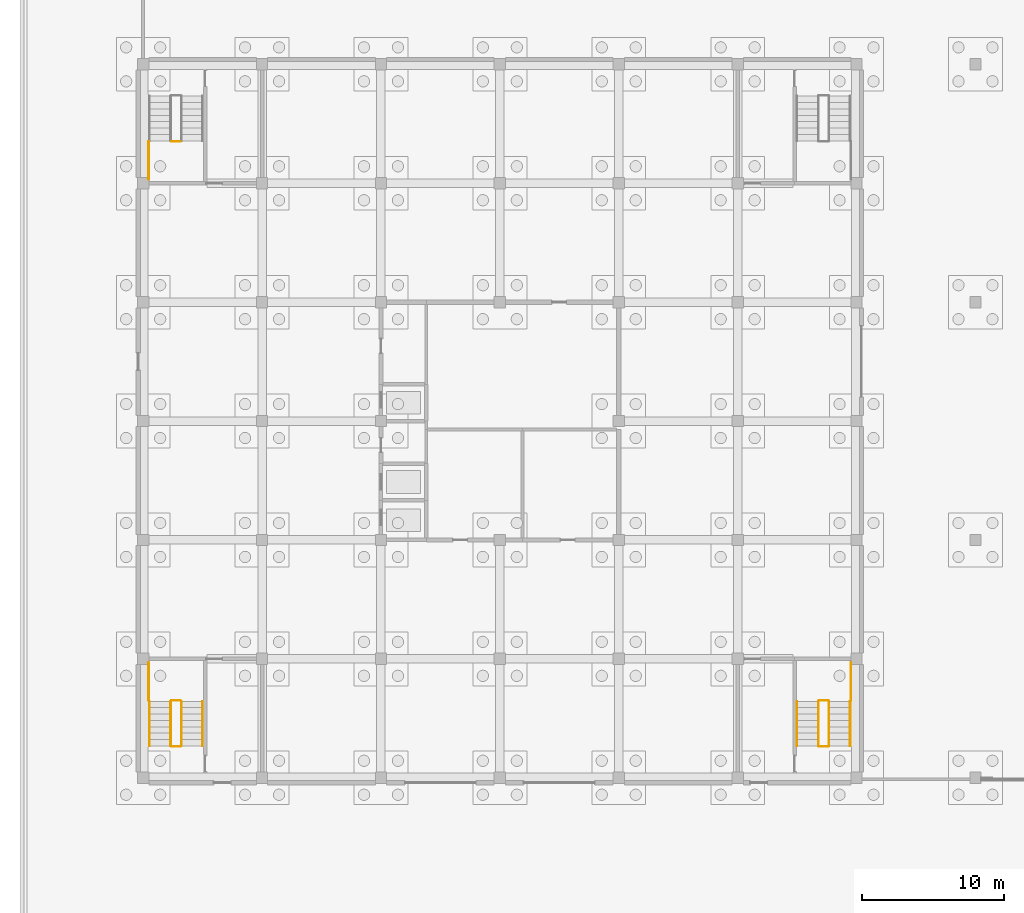
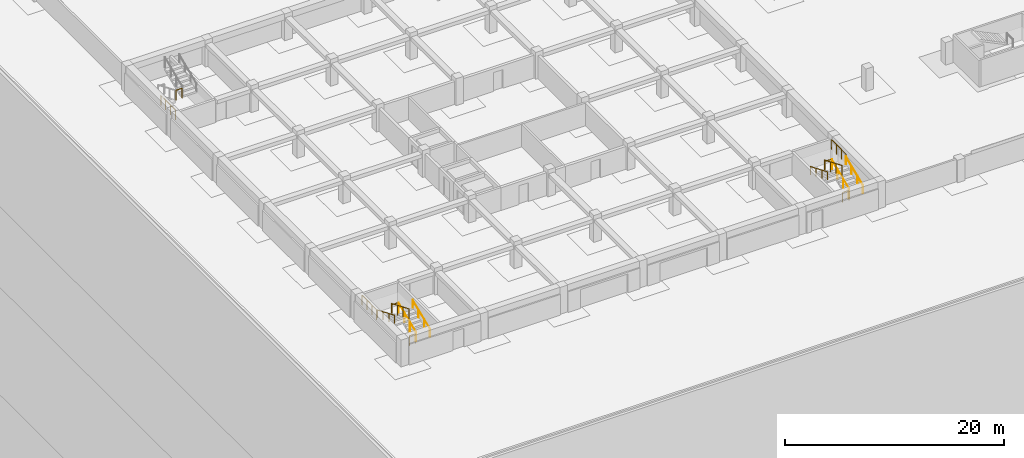
# One storey, part 52 of 67: 16 railings.
"""IFC4 building model written with IfcOpenShell, lengths in metres."""

from ifc_helpers import new_model, si_unit, direction, frame, origin, origin_2d, place, context, subcontext, project, spatial, circle, extrude, material, type_object, element, save


model = new_model("IFC4")

# Units and contexts
model_context = context("Model", 3, precision=1e-05, world=origin(), true_north=direction((0.0, 1.0)))
body_context = subcontext(model_context, "Body", "Model", "MODEL_VIEW")
ifc_project = project(units=[si_unit("LENGTHUNIT", "METRE"), si_unit("AREAUNIT", "SQUARE_METRE"), si_unit("VOLUMEUNIT", "CUBIC_METRE"), si_unit("PLANEANGLEUNIT", "RADIAN"), si_unit("MASSUNIT", "GRAM", prefix="KILO")], contexts=[model_context])

# Site, building, storey
site_placement = place(None, origin())
site = spatial("IfcSite", under=ifc_project, at=site_placement, CompositionType="ELEMENT")
building_placement = place(site_placement, origin())
building = spatial("IfcBuilding", under=site, at=building_placement, Name="Rain Tree Exposition and Congress Centre", CompositionType="ELEMENT")
storey_placement = place(building_placement, frame((0.0, 0.0, -3.0)))
storey = spatial("IfcBuildingStorey", under=building, at=storey_placement, Name="B1", CompositionType="ELEMENT", Elevation=-3.0)

# Railings
ifc_material_1 = material(Name="Steel S355J2H", Category="steel")
railing_type_1 = type_object("IfcRailingType", Name="Wing stair guard 1100", PredefinedType="GUARDRAIL", material=ifc_material_1)
railing_1_placement = place(storey_placement, frame((2.699951171875, 2.25, 0.1875)))
element("IfcRailing", 1, at=railing_1_placement, inside=storey, type_object=railing_type_1, Name="B1 ST-W1 stair guard 1", PredefinedType="GUARDRAIL", context=body_context, shape_type="SweptSolid", body=[
    extrude(circle(Radius=0.02392578125, at=origin_2d()), frame((0.0, 0.0, 1.076171875), z_axis=(0.0, 0.923072689593, 0.384625544819), x_axis=(-1.0, 0.0, 0.0)), (0.0, 0.0, 1.0), 3.412353515625),
    extrude(circle(Radius=0.02099609375, at=origin_2d()), origin(), (0.0, 0.0, 1.0), 1.052001953125),
    extrude(circle(Radius=0.02099609375, at=origin_2d()), frame((0.0, 1.050048828125, 0.4375)), (0.0, 0.0, 1.0), 1.052001953125),
    extrude(circle(Radius=0.02099609375, at=origin_2d()), frame((0.0, 2.099853515625, 0.875)), (0.0, 0.0, 1.0), 1.052001953125),
    extrude(circle(Radius=0.02099609375, at=origin_2d()), frame((0.0, 3.14990234375, 1.3125)), (0.0, 0.0, 1.0), 1.052001953125),
])
railing_2_placement = place(storey_placement, frame((2.64990234375, 5.449951171875, 1.5)))
element("IfcRailing", 2, at=railing_2_placement, inside=storey, type_object=railing_type_1, Name="B1 ST-W1 stair guard 2", PredefinedType="GUARDRAIL", context=body_context, shape_type="SweptSolid", body=[
    extrude(circle(Radius=0.02392578125, at=origin_2d()), frame((0.0, 0.0, 1.076171875), z_axis=(-1.0, 0.0, 0.0), x_axis=(0.0, -1.0, 0.0)), (0.0, 0.0, 1.0), 0.64990234375),
    extrude(circle(Radius=0.02099609375, at=origin_2d()), origin(), (0.0, 0.0, 1.0), 1.052001953125),
    extrude(circle(Radius=0.02099609375, at=origin_2d()), frame((-0.64990234375, 0.0, 0.0)), (0.0, 0.0, 1.0), 1.052001953125),
])
railing_3_placement = place(storey_placement, frame((1.949951171875, 5.39990234375, 1.6875)))
element("IfcRailing", 3, at=railing_3_placement, inside=storey, type_object=railing_type_1, Name="B1 ST-W1 stair guard 3", PredefinedType="GUARDRAIL", context=body_context, shape_type="SweptSolid", body=[
    extrude(circle(Radius=0.02392578125, at=origin_2d()), frame((0.0, 0.0, 1.076171875), z_axis=(0.0, -0.923072689593, 0.384625544819), x_axis=(1.0, 0.0, 0.0)), (0.0, 0.0, 1.0), 3.412353515625),
    extrude(circle(Radius=0.02099609375, at=origin_2d()), origin(), (0.0, 0.0, 1.0), 1.052001953125),
    extrude(circle(Radius=0.02099609375, at=origin_2d()), frame((0.0, -1.050048828125, 0.4375)), (0.0, 0.0, 1.0), 1.052001953125),
    extrude(circle(Radius=0.02099609375, at=origin_2d()), frame((0.0, -2.099853515625, 0.875)), (0.0, 0.0, 1.0), 1.052001953125),
    extrude(circle(Radius=0.02099609375, at=origin_2d()), frame((0.0, -3.14990234375, 1.3125)), (0.0, 0.0, 1.0), 1.052001953125),
])
railing_4_placement = place(storey_placement, frame((2.64990234375, 2.199951171875, 0.0)))
element("IfcRailing", 4, at=railing_4_placement, inside=storey, type_object=railing_type_1, Name="B1 ST-W1 stair guard 4", PredefinedType="GUARDRAIL", context=body_context, shape_type="SweptSolid", body=[
    extrude(circle(Radius=0.02392578125, at=origin_2d()), frame((0.0, 0.0, 1.076171875), z_axis=(-1.0, 0.0, 0.0), x_axis=(0.0, -1.0, 0.0)), (0.0, 0.0, 1.0), 0.64990234375),
    extrude(circle(Radius=0.02099609375, at=origin_2d()), origin(), (0.0, 0.0, 1.0), 1.052001953125),
    extrude(circle(Radius=0.02099609375, at=origin_2d()), frame((-0.64990234375, 0.0, 0.0)), (0.0, 0.0, 1.0), 1.052001953125),
])
railing_5_placement = place(storey_placement, frame((0.39697265625, 5.449951171875, 1.5)))
element("IfcRailing", 5, at=railing_5_placement, inside=storey, type_object=railing_type_1, Name="wing/stair/ST-W1-B1-LG1", PredefinedType="GUARDRAIL", context=body_context, shape_type="SweptSolid", body=[
    extrude(circle(Radius=0.02392578125, at=origin_2d()), frame((0.0, 0.0, 1.076171875), z_axis=(0.0, 1.0, 0.0), x_axis=(-1.0, 0.0, 0.0)), (0.0, 0.0, 1.0), 2.677978515625),
    extrude(circle(Radius=0.02099609375, at=origin_2d()), origin(), (0.0, 0.0, 1.0), 1.052001953125),
    extrude(circle(Radius=0.02099609375, at=origin_2d()), frame((0.0, 0.892578125, 0.0)), (0.0, 0.0, 1.0), 1.052001953125),
    extrude(circle(Radius=0.02099609375, at=origin_2d()), frame((0.0, 1.785400390625, 0.0)), (0.0, 0.0, 1.0), 1.052001953125),
    extrude(circle(Radius=0.02099609375, at=origin_2d()), frame((0.0, 2.677978515625, 0.0)), (0.0, 0.0, 1.0), 1.052001953125),
])
railing_6_placement = place(storey_placement, frame((48.449951171875, 2.25, 0.1875)))
element("IfcRailing", 6, at=railing_6_placement, inside=storey, type_object=railing_type_1, Name="B1 ST-W2 stair guard 1", PredefinedType="GUARDRAIL", context=body_context, shape_type="SweptSolid", body=[
    extrude(circle(Radius=0.02392578125, at=origin_2d()), frame((0.0, 0.0, 1.076171875), z_axis=(0.0, 0.923072689593, 0.384625544819), x_axis=(-1.0, 0.0, 0.0)), (0.0, 0.0, 1.0), 3.412353515625),
    extrude(circle(Radius=0.02099609375, at=origin_2d()), origin(), (0.0, 0.0, 1.0), 1.052001953125),
    extrude(circle(Radius=0.02099609375, at=origin_2d()), frame((0.0, 1.050048828125, 0.4375)), (0.0, 0.0, 1.0), 1.052001953125),
    extrude(circle(Radius=0.02099609375, at=origin_2d()), frame((0.0, 2.099853515625, 0.875)), (0.0, 0.0, 1.0), 1.052001953125),
    extrude(circle(Radius=0.02099609375, at=origin_2d()), frame((0.0, 3.14990234375, 1.3125)), (0.0, 0.0, 1.0), 1.052001953125),
])
railing_7_placement = place(storey_placement, frame((48.39990234375, 5.449951171875, 1.5)))
element("IfcRailing", 7, at=railing_7_placement, inside=storey, type_object=railing_type_1, Name="B1 ST-W2 stair guard 2", PredefinedType="GUARDRAIL", context=body_context, shape_type="SweptSolid", body=[
    extrude(circle(Radius=0.02392578125, at=origin_2d()), frame((0.0, 0.0, 1.076171875), z_axis=(-1.0, 0.0, 0.0), x_axis=(0.0, -1.0, 0.0)), (0.0, 0.0, 1.0), 0.64990234375),
    extrude(circle(Radius=0.02099609375, at=origin_2d()), origin(), (0.0, 0.0, 1.0), 1.052001953125),
    extrude(circle(Radius=0.02099609375, at=origin_2d()), frame((-0.64990234375, 0.0, 0.0)), (0.0, 0.0, 1.0), 1.052001953125),
])
railing_8_placement = place(storey_placement, frame((47.699951171875, 5.39990234375, 1.6875)))
element("IfcRailing", 8, at=railing_8_placement, inside=storey, type_object=railing_type_1, Name="B1 ST-W2 stair guard 3", PredefinedType="GUARDRAIL", context=body_context, shape_type="SweptSolid", body=[
    extrude(circle(Radius=0.02392578125, at=origin_2d()), frame((0.0, 0.0, 1.076171875), z_axis=(0.0, -0.923072689593, 0.384625544819), x_axis=(1.0, 0.0, 0.0)), (0.0, 0.0, 1.0), 3.412353515625),
    extrude(circle(Radius=0.02099609375, at=origin_2d()), origin(), (0.0, 0.0, 1.0), 1.052001953125),
    extrude(circle(Radius=0.02099609375, at=origin_2d()), frame((0.0, -1.050048828125, 0.4375)), (0.0, 0.0, 1.0), 1.052001953125),
    extrude(circle(Radius=0.02099609375, at=origin_2d()), frame((0.0, -2.099853515625, 0.875)), (0.0, 0.0, 1.0), 1.052001953125),
    extrude(circle(Radius=0.02099609375, at=origin_2d()), frame((0.0, -3.14990234375, 1.3125)), (0.0, 0.0, 1.0), 1.052001953125),
])
railing_9_placement = place(storey_placement, frame((48.39990234375, 2.199951171875, 0.0)))
element("IfcRailing", 9, at=railing_9_placement, inside=storey, type_object=railing_type_1, Name="B1 ST-W2 stair guard 4", PredefinedType="GUARDRAIL", context=body_context, shape_type="SweptSolid", body=[
    extrude(circle(Radius=0.02392578125, at=origin_2d()), frame((0.0, 0.0, 1.076171875), z_axis=(-1.0, 0.0, 0.0), x_axis=(0.0, -1.0, 0.0)), (0.0, 0.0, 1.0), 0.64990234375),
    extrude(circle(Radius=0.02099609375, at=origin_2d()), origin(), (0.0, 0.0, 1.0), 1.052001953125),
    extrude(circle(Radius=0.02099609375, at=origin_2d()), frame((-0.64990234375, 0.0, 0.0)), (0.0, 0.0, 1.0), 1.052001953125),
])
railing_10_placement = place(storey_placement, frame((50.0029296875, 5.449951171875, 1.5)))
element("IfcRailing", 10, at=railing_10_placement, inside=storey, type_object=railing_type_1, Name="wing/stair/ST-W2-B1-LG1", PredefinedType="GUARDRAIL", context=body_context, shape_type="SweptSolid", body=[
    extrude(circle(Radius=0.02392578125, at=origin_2d()), frame((0.0, 0.0, 1.076171875), z_axis=(0.0, 1.0, 0.0), x_axis=(-1.0, 0.0, 0.0)), (0.0, 0.0, 1.0), 2.677978515625),
    extrude(circle(Radius=0.02099609375, at=origin_2d()), origin(), (0.0, 0.0, 1.0), 1.052001953125),
    extrude(circle(Radius=0.02099609375, at=origin_2d()), frame((0.0, 0.892578125, 0.0)), (0.0, 0.0, 1.0), 1.052001953125),
    extrude(circle(Radius=0.02099609375, at=origin_2d()), frame((0.0, 1.785400390625, 0.0)), (0.0, 0.0, 1.0), 1.052001953125),
    extrude(circle(Radius=0.02099609375, at=origin_2d()), frame((0.0, 2.677978515625, 0.0)), (0.0, 0.0, 1.0), 1.052001953125),
])
railing_11_placement = place(storey_placement, frame((2.0, 44.949951171875, 1.5)))
element("IfcRailing", 11, at=railing_11_placement, inside=storey, type_object=railing_type_1, Name="B1 ST-W3 stair guard 2", PredefinedType="GUARDRAIL", context=body_context, shape_type="SweptSolid", body=[
    extrude(circle(Radius=0.02392578125, at=origin_2d()), frame((0.0, 0.0, 1.076171875), z_axis=(1.0, 0.0, 0.0), x_axis=(0.0, 1.0, 0.0)), (0.0, 0.0, 1.0), 0.64990234375),
    extrude(circle(Radius=0.02099609375, at=origin_2d()), origin(), (0.0, 0.0, 1.0), 1.052001953125),
    extrude(circle(Radius=0.02099609375, at=origin_2d()), frame((0.64990234375, 0.0, 0.0)), (0.0, 0.0, 1.0), 1.052001953125),
])
railing_12_placement = place(storey_placement, frame((0.39697265625, 44.949951171875, 1.5)))
element("IfcRailing", 12, at=railing_12_placement, inside=storey, type_object=railing_type_1, Name="wing/stair/ST-W3-B1-LG1", PredefinedType="GUARDRAIL", context=body_context, shape_type="SweptSolid", body=[
    extrude(circle(Radius=0.02392578125, at=origin_2d()), frame((0.0, 0.0, 1.076171875), z_axis=(0.0, -1.0, 0.0), x_axis=(1.0, 0.0, 0.0)), (0.0, 0.0, 1.0), 2.677978515625),
    extrude(circle(Radius=0.02099609375, at=origin_2d()), origin(), (0.0, 0.0, 1.0), 1.052001953125),
    extrude(circle(Radius=0.02099609375, at=origin_2d()), frame((0.0, -0.892578125, 0.0)), (0.0, 0.0, 1.0), 1.052001953125),
    extrude(circle(Radius=0.02099609375, at=origin_2d()), frame((0.0, -1.785400390625, 0.0)), (0.0, 0.0, 1.0), 1.052001953125),
    extrude(circle(Radius=0.02099609375, at=origin_2d()), frame((0.0, -2.677978515625, 0.0)), (0.0, 0.0, 1.0), 1.052001953125),
])
ifc_material_2 = material(Name="Steel S355J2H", Category="steel")
railing_type_2 = type_object("IfcRailingType", Name="Wing stair handrail 900", PredefinedType="HANDRAIL", material=ifc_material_2)
railing_13_placement = place(storey_placement, frame((4.199951171875, 2.25, 0.1875)))
element("IfcRailing", 13, at=railing_13_placement, inside=storey, type_object=railing_type_2, Name="B1 ST-W1 stair handrail 1", PredefinedType="HANDRAIL", context=body_context, shape_type="SweptSolid", body=[
    extrude(circle(Radius=0.02392578125, at=origin_2d()), frame((0.0, 0.0, 0.8759765625), z_axis=(0.0, 0.923072689593, 0.384625544819), x_axis=(-1.0, 0.0, 0.0)), (0.0, 0.0, 1.0), 3.412353515625),
    extrude(circle(Radius=0.02099609375, at=origin_2d()), origin(), (0.0, 0.0, 1.0), 0.851806640625),
    extrude(circle(Radius=0.02099609375, at=origin_2d()), frame((0.0, 1.050048828125, 0.4375)), (0.0, 0.0, 1.0), 0.851806640625),
    extrude(circle(Radius=0.02099609375, at=origin_2d()), frame((0.0, 2.099853515625, 0.875)), (0.0, 0.0, 1.0), 0.851806640625),
    extrude(circle(Radius=0.02099609375, at=origin_2d()), frame((0.0, 3.14990234375, 1.3125)), (0.0, 0.0, 1.0), 0.851806640625),
])
railing_14_placement = place(storey_placement, frame((0.449951171875, 5.39990234375, 1.6875)))
element("IfcRailing", 14, at=railing_14_placement, inside=storey, type_object=railing_type_2, Name="B1 ST-W1 stair handrail 2", PredefinedType="HANDRAIL", context=body_context, shape_type="SweptSolid", body=[
    extrude(circle(Radius=0.02392578125, at=origin_2d()), frame((0.0, 0.0, 0.8759765625), z_axis=(0.0, -0.923072689593, 0.384625544819), x_axis=(1.0, 0.0, 0.0)), (0.0, 0.0, 1.0), 3.412353515625),
    extrude(circle(Radius=0.02099609375, at=origin_2d()), origin(), (0.0, 0.0, 1.0), 0.851806640625),
    extrude(circle(Radius=0.02099609375, at=origin_2d()), frame((0.0, -1.050048828125, 0.4375)), (0.0, 0.0, 1.0), 0.851806640625),
    extrude(circle(Radius=0.02099609375, at=origin_2d()), frame((0.0, -2.099853515625, 0.875)), (0.0, 0.0, 1.0), 0.851806640625),
    extrude(circle(Radius=0.02099609375, at=origin_2d()), frame((0.0, -3.14990234375, 1.3125)), (0.0, 0.0, 1.0), 0.851806640625),
])
railing_15_placement = place(storey_placement, frame((49.949951171875, 2.25, 0.1875)))
element("IfcRailing", 15, at=railing_15_placement, inside=storey, type_object=railing_type_2, Name="B1 ST-W2 stair handrail 1", PredefinedType="HANDRAIL", context=body_context, shape_type="SweptSolid", body=[
    extrude(circle(Radius=0.02392578125, at=origin_2d()), frame((0.0, 0.0, 0.8759765625), z_axis=(0.0, 0.923072689593, 0.384625544819), x_axis=(-1.0, 0.0, 0.0)), (0.0, 0.0, 1.0), 3.412353515625),
    extrude(circle(Radius=0.02099609375, at=origin_2d()), origin(), (0.0, 0.0, 1.0), 0.851806640625),
    extrude(circle(Radius=0.02099609375, at=origin_2d()), frame((0.0, 1.050048828125, 0.4375)), (0.0, 0.0, 1.0), 0.851806640625),
    extrude(circle(Radius=0.02099609375, at=origin_2d()), frame((0.0, 2.099853515625, 0.875)), (0.0, 0.0, 1.0), 0.851806640625),
    extrude(circle(Radius=0.02099609375, at=origin_2d()), frame((0.0, 3.14990234375, 1.3125)), (0.0, 0.0, 1.0), 0.851806640625),
])
railing_16_placement = place(storey_placement, frame((46.199951171875, 5.39990234375, 1.6875)))
element("IfcRailing", 16, at=railing_16_placement, inside=storey, type_object=railing_type_2, Name="B1 ST-W2 stair handrail 2", PredefinedType="HANDRAIL", context=body_context, shape_type="SweptSolid", body=[
    extrude(circle(Radius=0.02392578125, at=origin_2d()), frame((0.0, 0.0, 0.8759765625), z_axis=(0.0, -0.923072689593, 0.384625544819), x_axis=(1.0, 0.0, 0.0)), (0.0, 0.0, 1.0), 3.412353515625),
    extrude(circle(Radius=0.02099609375, at=origin_2d()), origin(), (0.0, 0.0, 1.0), 0.851806640625),
    extrude(circle(Radius=0.02099609375, at=origin_2d()), frame((0.0, -1.050048828125, 0.4375)), (0.0, 0.0, 1.0), 0.851806640625),
    extrude(circle(Radius=0.02099609375, at=origin_2d()), frame((0.0, -2.099853515625, 0.875)), (0.0, 0.0, 1.0), 0.851806640625),
    extrude(circle(Radius=0.02099609375, at=origin_2d()), frame((0.0, -3.14990234375, 1.3125)), (0.0, 0.0, 1.0), 0.851806640625),
])

save(model, "model.ifc")
